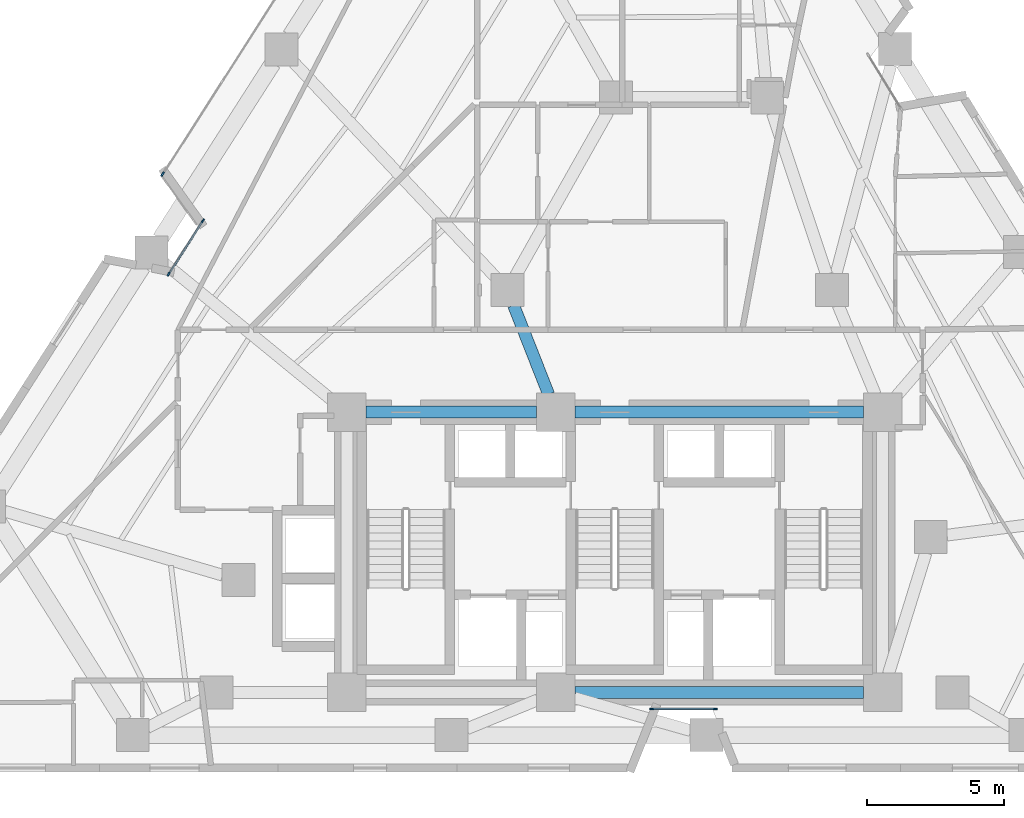
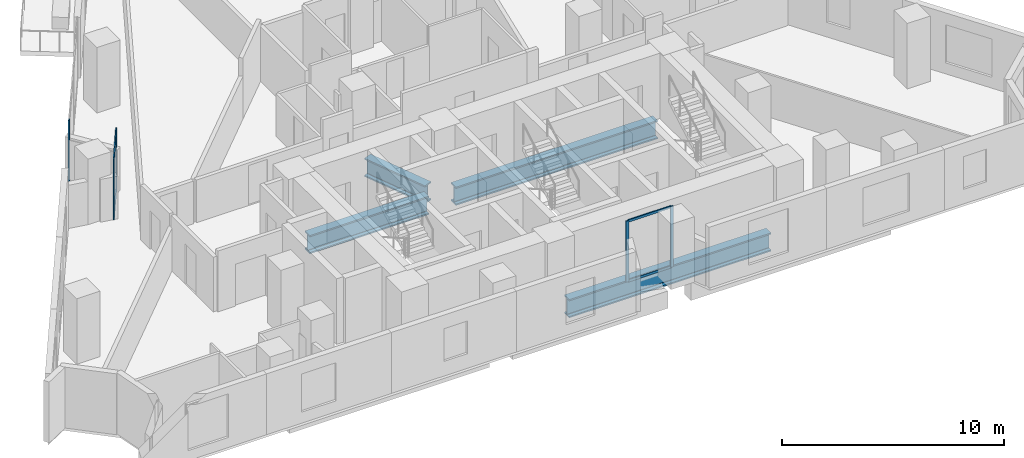
# One storey, part 2 of 13: 9 members, 4 beams, 3 elements without a shape of their own.
"""IFC4 building model written with IfcOpenShell, lengths in metres."""

from ifc_helpers import new_model, si_unit, direction, frame, origin, origin_2d, place, context, subcontext, project, spatial, rectangle, i_section, extrude, material, layer, layer_set, material_profile, profile_set, type_object, element, aggregate, save


model = new_model("IFC4")

# Units and contexts
model_context = context("Model", 3, precision=1e-05, world=origin(), true_north=direction((0.0, 1.0)))
body_context = subcontext(model_context, "Body", "Model", "MODEL_VIEW")
ifc_project = project(units=[si_unit("LENGTHUNIT", "METRE"), si_unit("AREAUNIT", "SQUARE_METRE"), si_unit("VOLUMEUNIT", "CUBIC_METRE"), si_unit("PLANEANGLEUNIT", "RADIAN"), si_unit("MASSUNIT", "GRAM", prefix="KILO")], contexts=[model_context])

# Site, building, storey
site_placement = place(None, origin())
site = spatial("IfcSite", under=ifc_project, at=site_placement, CompositionType="ELEMENT")
building_placement = place(site_placement, origin())
building = spatial("IfcBuilding", under=site, at=building_placement, Name="Almagre Mirador Tower", CompositionType="ELEMENT")
storey_placement = place(building_placement, frame((0.0, 0.0, 78.60009765625)))
storey = spatial("IfcBuildingStorey", under=building, at=storey_placement, Name="L19", CompositionType="ELEMENT", Elevation=78.60009765625)

# Beams
ifc_material_1 = material(Name="Steel ASTM A992 Grade 50", Category="steel")
ifc_material_profile_1 = material_profile(ifc_material_1, i_section(OverallWidth=0.43701171875, OverallDepth=1.010986328125, WebThickness=0.041015625, FlangeThickness=0.073974609375, FilletRadius=0.028076171875, at=origin_2d()), Name="W36X529")
ifc_profile_set_1 = profile_set([ifc_material_profile_1], Name="Steel ASTM A992 Grade 50")
beam_type = type_object("IfcBeamType", Name="BM-STL-W36X529", PredefinedType="BEAM", material=ifc_profile_set_1)
beam_1_placement = place(storey_placement, frame((35.85009765625, 4.550048828125, -0.755615234375), z_axis=(1.0, 0.0, 0.0), x_axis=(0.0, 1.0, 0.0)))
element("IfcBeam", 1, at=beam_1_placement, inside=storey, type_object=beam_type, Name="L19 core tie girder CC2-CC3", PredefinedType="BEAM", context=body_context, shape_type="SweptSolid", body=[
    extrude(i_section(OverallWidth=0.43701171875, OverallDepth=1.010986328125, WebThickness=0.041015625, FlangeThickness=0.073974609375, FilletRadius=0.028076171875, at=origin_2d()), origin(), (0.0, 0.0, 1.0), 10.5),
])
beam_2_placement = place(storey_placement, frame((28.25, 14.75, -0.755615234375), z_axis=(1.0, 0.0, 0.0), x_axis=(0.0, 1.0, 0.0)))
element("IfcBeam", 2, at=beam_2_placement, inside=storey, type_object=beam_type, Name="L19 core tie girder CC4-CC5", PredefinedType="BEAM", context=body_context, shape_type="SweptSolid", body=[
    extrude(i_section(OverallWidth=0.43701171875, OverallDepth=1.010986328125, WebThickness=0.041015625, FlangeThickness=0.073974609375, FilletRadius=0.028076171875, at=origin_2d()), origin(), (0.0, 0.0, 1.0), 6.199951171875),
])
beam_3_placement = place(storey_placement, frame((35.85009765625, 14.75, -0.755615234375), z_axis=(1.0, 0.0, 0.0), x_axis=(0.0, 1.0, 0.0)))
element("IfcBeam", 3, at=beam_3_placement, inside=storey, type_object=beam_type, Name="L19 core tie girder CC5-CC6", PredefinedType="BEAM", context=body_context, shape_type="SweptSolid", body=[
    extrude(i_section(OverallWidth=0.43701171875, OverallDepth=1.010986328125, WebThickness=0.041015625, FlangeThickness=0.073974609375, FilletRadius=0.028076171875, at=origin_2d()), origin(), (0.0, 0.0, 1.0), 10.5),
])
beam_4_placement = place(storey_placement, frame((33.61962890625, 18.6416015625, -0.755615234375), z_axis=(0.365956076985, -0.93063212373, 0.0), x_axis=(0.93063212373, 0.365956076985, 0.0)))
element("IfcBeam", 4, at=beam_4_placement, inside=storey, type_object=beam_type, Name="L19 core tie girder MC8-CC5", PredefinedType="BEAM", context=body_context, shape_type="SweptSolid", body=[
    extrude(i_section(OverallWidth=0.43701171875, OverallDepth=1.010986328125, WebThickness=0.041015625, FlangeThickness=0.073974609375, FilletRadius=0.028076171875, at=origin_2d()), origin(), (0.0, 0.0, 1.0), 3.481689453125),
])

# Curtain wall, members
ifc_material_2 = material(Name="Black anodized aluminium", Category="aluminium")
ifc_layer_1 = layer(ifc_material_2, 0.169921875)
ifc_layer_set_1 = layer_set([ifc_layer_1], Name="Black anodized aluminium")
curtain_wall_type_1 = type_object("IfcCurtainWallType", Name="CW-CRS-SYS", PredefinedType="NOTDEFINED", material=ifc_layer_set_1)
curtain_wall_1_placement = place(storey_placement, origin())
curtain_wall_1 = element("IfcCurtainWall", 5, at=curtain_wall_1_placement, inside=storey, type_object=curtain_wall_type_1, Name="L19 vertical crease curtain wall 01", PredefinedType="NOTDEFINED")
ifc_material_3 = material(Name="Black anodized aluminium", Category="aluminium")
ifc_material_profile_2 = material_profile(ifc_material_3, rectangle(XDim=0.06005859375, YDim=0.14990234375, at=origin_2d()), Name="CWM60X150")
ifc_profile_set_2 = profile_set([ifc_material_profile_2], Name="Black anodized aluminium")
member_type_1 = type_object("IfcMemberType", Name="MBR-CWM60X150", PredefinedType="MULLION", material=ifc_profile_set_2)
member_1_placement = place(storey_placement, frame((21.067626953125, 19.7724609375, 0.0), z_axis=(0.0, 0.0, 1.0), x_axis=(-0.841947934991, 0.539558777859, 0.0)))
member_1 = element("IfcMember", 6, at=member_1_placement, type_object=member_type_1, Name="CW-4 mullion 1", PredefinedType="MULLION", context=body_context, shape_type="SweptSolid", body=[
    extrude(rectangle(XDim=0.06005859375, YDim=0.14990234375, at=origin_2d()), origin(), (0.0, 0.0, 1.0), 3.349853515625),
])
member_2_placement = place(storey_placement, frame((22.314208984375, 21.717529296875, 0.0), z_axis=(0.0, 0.0, 1.0), x_axis=(-0.841947934991, 0.539558777859, 0.0)))
member_2 = element("IfcMember", 7, at=member_2_placement, type_object=member_type_1, Name="CW-4 mullion 2", PredefinedType="MULLION", context=body_context, shape_type="SweptSolid", body=[
    extrude(rectangle(XDim=0.06005859375, YDim=0.14990234375, at=origin_2d()), origin(), (0.0, 0.0, 1.0), 3.349853515625),
])

curtain_wall_2_placement = place(storey_placement, origin())
curtain_wall_2 = element("IfcCurtainWall", 8, at=curtain_wall_2_placement, inside=storey, type_object=curtain_wall_type_1, Name="L19 vertical crease curtain wall 04", PredefinedType="NOTDEFINED")
member_3_placement = place(storey_placement, frame((40.962890625, 3.949951171875, 0.0), z_axis=(0.0, 0.0, 1.0), x_axis=(0.0, -1.0, 0.0)))
member_3 = element("IfcMember", 9, at=member_3_placement, type_object=member_type_1, Name="CW-4 mullion 1", PredefinedType="MULLION", context=body_context, shape_type="SweptSolid", body=[
    extrude(rectangle(XDim=0.06005859375, YDim=0.14990234375, at=origin_2d()), origin(), (0.0, 0.0, 1.0), 3.349853515625),
])
member_4_placement = place(storey_placement, frame((38.653076171875, 3.949951171875, 0.0), z_axis=(0.0, 0.0, 1.0), x_axis=(0.0, -1.0, 0.0)))
member_4 = element("IfcMember", 10, at=member_4_placement, type_object=member_type_1, Name="CW-4 mullion 2", PredefinedType="MULLION", context=body_context, shape_type="SweptSolid", body=[
    extrude(rectangle(XDim=0.06005859375, YDim=0.14990234375, at=origin_2d()), origin(), (0.0, 0.0, 1.0), 3.349853515625),
])

# Curtain wall, member
ifc_material_4 = material(Name="Black anodized aluminium", Category="aluminium")
ifc_layer_2 = layer(ifc_material_4, 0.18994140625)
ifc_layer_set_2 = layer_set([ifc_layer_2], Name="Black anodized aluminium")
curtain_wall_type_2 = type_object("IfcCurtainWallType", Name="CW-RES-L-SYS", PredefinedType="NOTDEFINED", material=ifc_layer_set_2)
curtain_wall_3_placement = place(storey_placement, origin())
curtain_wall_3 = element("IfcCurtainWall", 11, at=curtain_wall_3_placement, inside=storey, type_object=curtain_wall_type_2, Name="L19 curtain wall run 02", PredefinedType="NOTDEFINED")
ifc_material_5 = material(Name="Black anodized aluminium", Category="aluminium")
ifc_material_profile_3 = material_profile(ifc_material_5, rectangle(XDim=0.06494140625, YDim=0.179931640625, at=origin_2d()), Name="CWM65X180")
ifc_profile_set_3 = profile_set([ifc_material_profile_3], Name="Black anodized aluminium")
member_type_2 = type_object("IfcMemberType", Name="MBR-CWM65X180", PredefinedType="MULLION", material=ifc_profile_set_3)
member_5_placement = place(storey_placement, frame((20.84814453125, 23.41357421875, 0.0), z_axis=(0.0, 0.0, 1.0), x_axis=(-0.8420145831, 0.539454763486, 0.0)))
member_5 = element("IfcMember", 12, at=member_5_placement, type_object=member_type_2, Name="CW-2 mullion 1", PredefinedType="MULLION", context=body_context, shape_type="SweptSolid", body=[
    extrude(rectangle(XDim=0.06494140625, YDim=0.179931640625, at=origin_2d()), origin(), (0.0, 0.0, 1.0), 3.349853515625),
])
aggregate(curtain_wall_3, [member_5])

# Member
ifc_material_6 = material(Name="Black anodized aluminium", Category="aluminium")
ifc_material_profile_4 = material_profile(ifc_material_6, rectangle(XDim=0.06005859375, YDim=0.1298828125, at=origin_2d()), Name="CWT60X130")
ifc_profile_set_4 = profile_set([ifc_material_profile_4], Name="Black anodized aluminium")
member_type_3 = type_object("IfcMemberType", Name="MBR-CWT60X130", PredefinedType="USERDEFINED", material=ifc_profile_set_4)
member_6_placement = place(storey_placement, frame((21.083984375, 19.797607421875, 0.02978515625), z_axis=(0.539512321275, 0.841977704688, 0.0), x_axis=(-0.841977704688, 0.539512321275, 0.0)))
member_6 = element("IfcMember", 13, at=member_6_placement, type_object=member_type_3, Name="CW-4 transom 1.1", ObjectType="TRANSOM", PredefinedType="USERDEFINED", context=body_context, shape_type="SweptSolid", body=[
    extrude(rectangle(XDim=0.06005859375, YDim=0.1298828125, at=origin_2d()), origin(), (0.0, 0.0, 1.0), 2.25048828125),
])

member_7_placement = place(storey_placement, frame((21.083984375, 19.797607421875, 3.31982421875), z_axis=(0.539512321275, 0.841977704688, 0.0), x_axis=(-0.841977704688, 0.539512321275, 0.0)))
member_7 = element("IfcMember", 14, at=member_7_placement, type_object=member_type_3, Name="CW-4 transom 1.2", ObjectType="TRANSOM", PredefinedType="USERDEFINED", context=body_context, shape_type="SweptSolid", body=[
    extrude(rectangle(XDim=0.06005859375, YDim=0.1298828125, at=origin_2d()), origin(), (0.0, 0.0, 1.0), 2.25048828125),
])

aggregate(curtain_wall_1, [member_1, member_2, member_6, member_7])

member_8_placement = place(storey_placement, frame((40.93310546875, 3.949951171875, 0.02978515625), z_axis=(-1.0, 0.0, 0.0), x_axis=(0.0, -1.0, 0.0)))
member_8 = element("IfcMember", 15, at=member_8_placement, type_object=member_type_3, Name="CW-4 transom 1.1", ObjectType="TRANSOM", PredefinedType="USERDEFINED", context=body_context, shape_type="SweptSolid", body=[
    extrude(rectangle(XDim=0.06005859375, YDim=0.1298828125, at=origin_2d()), origin(), (0.0, 0.0, 1.0), 2.25),
])

member_9_placement = place(storey_placement, frame((40.93310546875, 3.949951171875, 3.31982421875), z_axis=(-1.0, 0.0, 0.0), x_axis=(0.0, -1.0, 0.0)))
member_9 = element("IfcMember", 16, at=member_9_placement, type_object=member_type_3, Name="CW-4 transom 1.2", ObjectType="TRANSOM", PredefinedType="USERDEFINED", context=body_context, shape_type="SweptSolid", body=[
    extrude(rectangle(XDim=0.06005859375, YDim=0.1298828125, at=origin_2d()), origin(), (0.0, 0.0, 1.0), 2.25),
])

aggregate(curtain_wall_2, [member_3, member_4, member_8, member_9])

save(model, "model.ifc")
